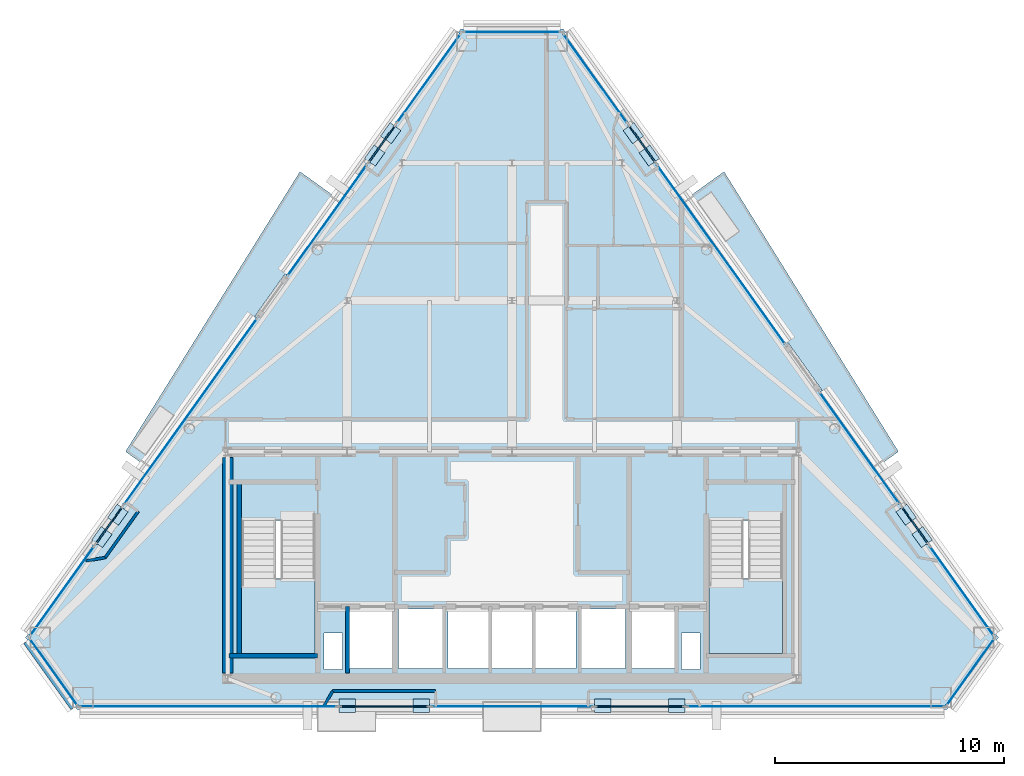
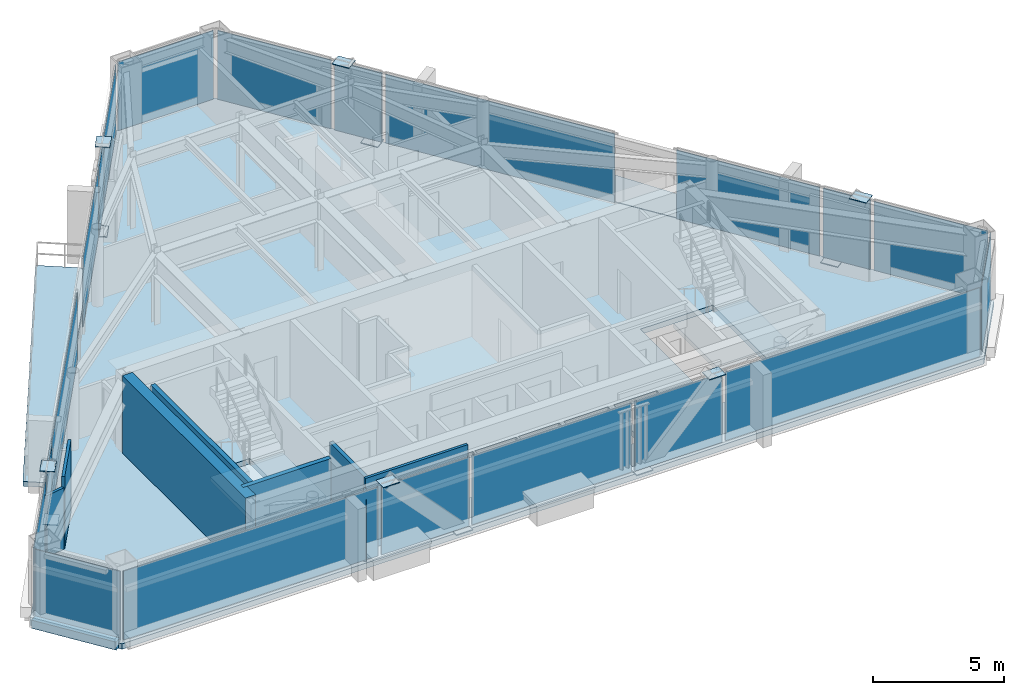
# One storey, part 7 of 12: 32 plates, 9 walls, 5 slabs, 22 elements without a shape of their own.
"""IFC4 building model written with IfcOpenShell, lengths in metres."""

import ifcopenshell
import ifcopenshell.guid

model = None  # the IFC model being written
_history = None  # IfcOwnerHistory: only IFC2X3 demands one
_inside = {}  # id of a spatial element -> (the spatial element, [elements in it])
_under = {}  # id of a project, library or spatial element -> (it, [spatial elements below it])
_declared = {}  # id of a project -> (the project, [libraries it declares])
_typed = {}  # id of a type object -> (the type object, [elements of that type])
_made_of = {}  # id of a material, layer set ... -> (it, [elements and type objects made of it])


def new_model(schema):
    """Start an empty IFC model of exactly this schema.

    Asked for "IFC4X3", IfcOpenShell would pick the latest addendum, in which some entities
    have other attributes; the version numbers below select the first issue.
    IFC2X3 requires an IfcOwnerHistory on every rooted entity: one is made here for all.
    """
    global model, _history
    if schema == "IFC4X3":
        model = ifcopenshell.file(schema_version=(4, 3, 0, 0))
    else:
        model = ifcopenshell.file(schema=schema)
    _inside.clear()
    _under.clear()
    _declared.clear()
    _typed.clear()
    _made_of.clear()
    _history = None
    if model.schema == "IFC2X3":
        org = make("IfcOrganization", Name="unknown")
        user = make(
            "IfcPersonAndOrganization",
            ThePerson=make("IfcPerson", FamilyName="unknown"),
            TheOrganization=org,
        )
        app = make(
            "IfcApplication",
            ApplicationDeveloper=org,
            Version="unknown",
            ApplicationFullName="unknown",
            ApplicationIdentifier="unknown",
        )
        _history = make(
            "IfcOwnerHistory",
            OwningUser=user,
            OwningApplication=app,
            ChangeAction="ADDED",
            CreationDate=0,
        )
    return model


def make(cls, **values):
    """One entity of the class cls with the attributes given. An attribute that is None is left unset."""
    return model.create_entity(
        cls, **{name: value for name, value in values.items() if value is not None}
    )


def rooted(cls, **values):
    """An entity with a GlobalId (a new one), such as an element, a storey or a relation."""
    return make(cls, GlobalId=ifcopenshell.guid.new(), OwnerHistory=_history, **values)


def si_unit(unit_type, name, prefix=None):
    """IfcSIUnit, for example si_unit("LENGTHUNIT", "METRE", prefix="MILLI")."""
    return make("IfcSIUnit", UnitType=unit_type, Prefix=prefix, Name=name)


def assignment(units):
    """IfcUnitAssignment: the units of a project."""
    return None if units is None else make("IfcUnitAssignment", Units=units)


def point(xyz):
    """IfcCartesianPoint."""
    return None if xyz is None else make("IfcCartesianPoint", Coordinates=xyz)


def direction(xyz):
    """IfcDirection."""
    return None if xyz is None else make("IfcDirection", DirectionRatios=xyz)


def frame(location, z_axis=None, x_axis=None):
    """IfcAxis2Placement3D, a coordinate frame: its origin and axes. An axis left out is left unset."""
    return make(
        "IfcAxis2Placement3D",
        Location=point(location),
        Axis=direction(z_axis),
        RefDirection=direction(x_axis),
    )


def frame_2d(location, x_axis=None):
    """IfcAxis2Placement2D, a coordinate frame in the plane: its origin and x axis."""
    return make(
        "IfcAxis2Placement2D", Location=point(location), RefDirection=direction(x_axis)
    )


def origin():
    """The frame at (0, 0, 0) with its axes left unset."""
    return frame((0.0, 0.0, 0.0))


def origin_2d():
    """The frame at (0, 0) in the plane with its x axis left unset."""
    return frame_2d((0.0, 0.0))


def place(relative_to, where):
    """IfcLocalPlacement: puts the frame where relative to a parent placement (None: the world)."""
    return make(
        "IfcLocalPlacement", PlacementRelTo=relative_to, RelativePlacement=where
    )


def context(
    kind, dimensions, precision=None, world=None, true_north=None, identifier=None
):
    """IfcGeometricRepresentationContext, for example the 3D "Model" context."""
    return make(
        "IfcGeometricRepresentationContext",
        ContextIdentifier=identifier,
        ContextType=kind,
        CoordinateSpaceDimension=dimensions,
        Precision=precision,
        WorldCoordinateSystem=world,
        TrueNorth=true_north,
    )


def subcontext(parent, identifier, kind, view, scale=None):
    """IfcGeometricRepresentationSubContext, for example "Body" below "Model"."""
    return make(
        "IfcGeometricRepresentationSubContext",
        ContextIdentifier=identifier,
        ContextType=kind,
        ParentContext=parent,
        TargetScale=scale,
        TargetView=view,
    )


def project(units=None, contexts=None):
    """IfcProject with its units and contexts."""
    return rooted(
        "IfcProject",
        Name="project",
        RepresentationContexts=contexts,
        UnitsInContext=assignment(units),
    )


def spatial(cls, under=None, at=None, **own):
    """A site, building, storey or space (cls), placed at a placement, below another one or the project."""
    s = rooted(cls, ObjectPlacement=at, **own)
    if under is not None:
        _under.setdefault(under.id(), (under, []))[1].append(s)
    return s


def polyline(points):
    """IfcPolyline through the points."""
    return make("IfcPolyline", Points=[point(p) for p in points])


def profile(cls, at=None, kind="AREA", **sizes):
    """A parametric profile (cls). Its sizes go by their IFC names, for example OverallWidth=200.0."""
    return make(cls, ProfileType=kind, Position=at, **sizes)


def rectangle(**sizes):
    """IfcRectangleProfileDef."""
    return profile("IfcRectangleProfileDef", **sizes)


def outline(outer, holes=None, kind="AREA"):
    """IfcArbitraryClosedProfileDef: a profile drawn as a closed curve; with holes, ...WithVoids."""
    if holes is None:
        return make("IfcArbitraryClosedProfileDef", ProfileType=kind, OuterCurve=outer)
    return make(
        "IfcArbitraryProfileDefWithVoids",
        ProfileType=kind,
        OuterCurve=outer,
        InnerCurves=holes,
    )


def extrude(swept, where, along, depth):
    """IfcExtrudedAreaSolid: the profile swept, set in the frame where, extruded along a direction by depth."""
    return make(
        "IfcExtrudedAreaSolid",
        SweptArea=swept,
        Position=where,
        ExtrudedDirection=direction(along),
        Depth=depth,
    )


def shape(context_of_items, identifier, shape_type, items):
    """IfcShapeRepresentation: the items that make up one representation, for example the "Body"."""
    return make(
        "IfcShapeRepresentation",
        ContextOfItems=context_of_items,
        RepresentationIdentifier=identifier,
        RepresentationType=shape_type,
        Items=items,
    )


def source(mapping_origin, context_of_items, identifier, shape_type, items):
    """IfcRepresentationMap: a shape defined once, which mapped items show again and again."""
    return make(
        "IfcRepresentationMap",
        MappingOrigin=mapping_origin,
        MappedRepresentation=shape(context_of_items, identifier, shape_type, items),
    )


def transform(
    local_origin,
    x_axis=None,
    y_axis=None,
    z_axis=None,
    scale=None,
    scale2=None,
    scale3=None,
    uniform=True,
):
    """IfcCartesianTransformationOperator3D, or its non-uniform kind. x_axis, y_axis, z_axis: its Axis1, 2, 3."""
    if uniform:
        return make(
            "IfcCartesianTransformationOperator3D",
            Axis1=direction(x_axis),
            Axis2=direction(y_axis),
            LocalOrigin=point(local_origin),
            Scale=scale,
            Axis3=direction(z_axis),
        )
    return make(
        "IfcCartesianTransformationOperator3DnonUniform",
        Axis1=direction(x_axis),
        Axis2=direction(y_axis),
        LocalOrigin=point(local_origin),
        Scale=scale,
        Axis3=direction(z_axis),
        Scale2=scale2,
        Scale3=scale3,
    )


def mapped(mapping_source, mapping_target):
    """IfcMappedItem: shows the shape of a source again, moved by a transform."""
    return make(
        "IfcMappedItem", MappingSource=mapping_source, MappingTarget=mapping_target
    )


def material(Name=None, Category=None):
    """IfcMaterial."""
    return make("IfcMaterial", Name=Name, Category=Category)


def layer(
    of_material, thickness, ventilated=None, Name=None, Category=None, Priority=None
):
    """IfcMaterialLayer: one layer of a wall or slab, of a material (None: an air gap)."""
    return make(
        "IfcMaterialLayer",
        Material=of_material,
        LayerThickness=thickness,
        IsVentilated=ventilated,
        Name=Name,
        Category=Category,
        Priority=Priority,
    )


def layer_set(layers, Name=None):
    """IfcMaterialLayerSet."""
    return make("IfcMaterialLayerSet", MaterialLayers=layers, LayerSetName=Name)


def made_of(thing, what):
    """Note that an element or type object is made of a material, layer set ...; save() writes the relation."""
    if what is not None:
        _made_of.setdefault(what.id(), (what, []))[1].append(thing)
    return thing


def type_object(cls, material=None, **own):
    """A type object (cls), such as IfcWallType, which elements share."""
    return made_of(rooted(cls, **own), material)


def type_shapes(of_type, sources):
    """Give a type object the sources (RepresentationMaps) that its elements show as mapped items."""
    of_type.RepresentationMaps = sources


def element(
    cls,
    number,
    at=None,
    inside=None,
    cuts=None,
    type_object=None,
    material=None,
    context=None,
    identifier="Body",
    shape_type=None,
    held_by="IfcProductDefinitionShape",
    body=None,
    shapes=None,
    **own,
):
    """One element of the class cls, such as IfcWall. Its Tag is "e" and its number.

    at: its placement. inside: the storey or other place that contains it. cuts: it is an
    opening in that element (IfcRelVoidsElement). A single representation is given by context,
    identifier, shape_type and body (its items); several are given by shapes. held_by: the class
    of the entity that holds the representations. save() writes the other relations.
    """
    e = rooted(cls, Tag="e%d" % number, ObjectPlacement=at, **own)
    if body is not None:
        shapes = [shape(context, identifier, shape_type, body)]
    if shapes is not None:
        e.Representation = make(held_by, Representations=shapes)
    if inside is not None:
        _inside.setdefault(inside.id(), (inside, []))[1].append(e)
    if cuts is not None:
        rooted(
            "IfcRelVoidsElement", RelatingBuildingElement=cuts, RelatedOpeningElement=e
        )
    if type_object is not None:
        _typed.setdefault(type_object.id(), (type_object, []))[1].append(e)
    return made_of(e, material)


def aggregate(whole, parts):
    """IfcRelAggregates: a whole, such as a stair, and the parts it consists of."""
    return rooted("IfcRelAggregates", RelatingObject=whole, RelatedObjects=parts)


def save(model, path):
    """Write the relations noted so far, then the file.

    IfcRelAggregates (storeys below a building ...), IfcRelContainedInSpatialStructure (elements
    in a storey), IfcRelDefinesByType, IfcRelAssociatesMaterial and IfcRelDeclares: one each for
    every whole, place, type object, material and project.
    """
    for whole, parts in _under.values():
        aggregate(whole, parts)
    for where, things in _inside.values():
        rooted(
            "IfcRelContainedInSpatialStructure",
            RelatedElements=things,
            RelatingStructure=where,
        )
    for kind, things in _typed.values():
        rooted("IfcRelDefinesByType", RelatedObjects=things, RelatingType=kind)
    for what, things in _made_of.values():
        rooted("IfcRelAssociatesMaterial", RelatedObjects=things, RelatingMaterial=what)
    for by, libraries in _declared.values():
        rooted("IfcRelDeclares", RelatingContext=by, RelatedDefinitions=libraries)
    model.write(path)


model = new_model("IFC4")

# Units and contexts
model_context = context("Model", 3, precision=1e-05, world=origin(), true_north=direction((0.0, 1.0)))
body_context = subcontext(model_context, "Body", "Model", "MODEL_VIEW")
ifc_project = project(units=[si_unit("LENGTHUNIT", "METRE"), si_unit("AREAUNIT", "SQUARE_METRE"), si_unit("VOLUMEUNIT", "CUBIC_METRE"), si_unit("PLANEANGLEUNIT", "RADIAN"), si_unit("MASSUNIT", "GRAM", prefix="KILO")], contexts=[model_context])

# Site, building, storey
site_placement = place(None, origin())
site = spatial("IfcSite", under=ifc_project, at=site_placement, CompositionType="ELEMENT")
building_placement = place(site_placement, origin())
building = spatial("IfcBuilding", under=site, at=building_placement, Name="Talgorran Terracotta Tower", CompositionType="ELEMENT")
storey_placement = place(building_placement, frame((0.0, 0.0, 267.0)))
storey = spatial("IfcBuildingStorey", under=building, at=storey_placement, Name="L70", CompositionType="ELEMENT", Elevation=267.0)

# Plates
ifc_material_1 = material(Name="Steel Grade 350 (350L0)", Category="steel")
ifc_layer_1 = layer(ifc_material_1, 0.031982421875, Name="PL_CAP_MN07")
ifc_layer_set_1 = layer_set([ifc_layer_1], Name="Steel Grade 350 (350L0)")
plate_type_1 = type_object("IfcPlateType", Name="PL_CAP_MN07", PredefinedType="USERDEFINED", material=ifc_layer_set_1)
for number, where, z_axis, x_axis, name in (
    (1, (-3.968994140625, -15.27880859375, -0.005859375), (0.0, 0.0, 1.0), (-1.0, 0.0, 0.0), "L70 Diagonal Frame End Cap SWF Bot"),
    (2, (-7.181884765625, -15.27880859375, 3.31884765625), (0.0, 0.0, 1.0), (-1.0, 0.0, 0.0), "L70 Diagonal Frame End Cap SWF Top"),
    (3, (3.968994140625, -15.27880859375, -0.005859375), (0.0, 0.0, 1.0), (1.0, 0.0, 0.0), "L70 Diagonal Frame End Cap SEF Bot"),
    (4, (7.181884765625, -15.27880859375, 3.31884765625), (0.0, 0.0, 1.0), (1.0, 0.0, 0.0), "L70 Diagonal Frame End Cap SEF Top"),
    (5, (17.197509765625, -6.9482421875, -0.005859375), (0.0, 0.0, 1.0), (0.581697151818, -0.813405448449, 0.0), "L70 Diagonal Frame End Cap NEL Bot"),
    (6, (17.8955078125, -7.92431640625, 3.31884765625), (0.0, 0.0, 1.0), (0.581697151818, -0.813405448449, 0.0), "L70 Diagonal Frame End Cap NEL Top"),
    (7, (5.990234375, 8.7216796875, -0.005859375), (0.0, 0.0, 1.0), (-0.581697151818, 0.813405448449, 0.0), "L70 Diagonal Frame End Cap NEU Bot"),
    (8, (5.292236328125, 9.69775390625, 3.31884765625), (0.0, 0.0, 1.0), (-0.581697151818, 0.813405448449, 0.0), "L70 Diagonal Frame End Cap NEU Top"),
    (9, (-5.990234375, 8.7216796875, -0.005859375), (0.0, 0.0, 1.0), (0.581697151818, 0.813405448449, 0.0), "L70 Diagonal Frame End Cap NWU Bot"),
    (10, (-5.292236328125, 9.69775390625, 3.31884765625), (0.0, 0.0, 1.0), (0.581697151818, 0.813405448449, 0.0), "L70 Diagonal Frame End Cap NWU Top"),
    (11, (-17.197509765625, -6.9482421875, -0.005859375), (0.0, 0.0, 1.0), (-0.581697151818, -0.813405448449, 0.0), "L70 Diagonal Frame End Cap NWL Bot"),
    (12, (-17.8955078125, -7.92431640625, 3.31884765625), (0.0, 0.0, 1.0), (-0.581697151818, -0.813405448449, 0.0), "L70 Diagonal Frame End Cap NWL Top"),
):
    element("IfcPlate", number, at=place(storey_placement, frame(where, z_axis=z_axis, x_axis=x_axis)), inside=storey, type_object=plate_type_1, Name=name, ObjectType="CAP PLATE", PredefinedType="USERDEFINED", context=body_context, shape_type="SweptSolid", body=[
        extrude(rectangle(XDim=0.719970703125, YDim=0.580078125, at=origin_2d()), origin(), (0.0, 0.0, 1.0), 0.031982421875),
    ])

# Slabs
ifc_material_2 = material(Name="Concrete C40/50", Category="concrete")
ifc_layer_2 = layer(ifc_material_2, 0.219970703125, Name="SL_BALCONY_220")
ifc_layer_set_2 = layer_set([ifc_layer_2], Name="Concrete C40/50")
slab_type_1 = type_object("IfcSlabType", Name="SL_BALCONY_220", PredefinedType="FLOOR", material=ifc_layer_set_2)
slab_1_placement = place(storey_placement, frame((0.0, 0.0, -0.219970703125)))
element("IfcSlab", 13, at=slab_1_placement, inside=storey, type_object=slab_type_1, Name="L70 Outdoor Wave Balcony BAL-NE", PredefinedType="FLOOR", context=body_context, shape_type="SweptSolid", body=[
    extrude(outline(polyline([(7.569580078125, 6.814208984375), (15.92138671875, -4.863525390625), (16.85888671875, -4.193115234375), (9.25146484375, 8.01708984375), (7.569580078125, 6.814208984375)])), origin(), (0.0, 0.0, 1.0), 0.219970703125),
])
slab_2_placement = place(storey_placement, frame((0.0, 0.0, -0.219970703125)))
element("IfcSlab", 14, at=slab_2_placement, inside=storey, type_object=slab_type_1, Name="L70 Outdoor Wave Balcony BAL-NW", PredefinedType="FLOOR", context=body_context, shape_type="SweptSolid", body=[
    extrude(outline(polyline([(-15.92138671875, -4.863525390625), (-7.569580078125, 6.814208984375), (-9.25146484375, 8.01708984375), (-16.85888671875, -4.193115234375), (-15.92138671875, -4.863525390625)])), origin(), (0.0, 0.0, 1.0), 0.219970703125),
])

# Stair, slab
stair_type = type_object("IfcStairType", Name="ST_FIRE_SCISSOR", PredefinedType="HALF_TURN_STAIR", material=ifc_material_2)
stair_1_placement = place(storey_placement, origin())
stair_1 = element("IfcStair", 15, at=stair_1_placement, inside=storey, type_object=stair_type, Name="L70 West Protected Fire Stair ST-01", PredefinedType="HALF_TURN_STAIR")
ifc_layer_3 = layer(ifc_material_2, 0.199951171875, Name="SL_LANDING_200")
ifc_layer_set_3 = layer_set([ifc_layer_3], Name="Concrete C40/50")
slab_type_2 = type_object("IfcSlabType", Name="SL_LANDING_200", PredefinedType="LANDING", material=ifc_layer_set_3)
slab_3_placement = place(storey_placement, frame((0.0, 0.0, 1.60009765625)))
slab_3 = element("IfcSlab", 16, at=slab_3_placement, type_object=slab_type_2, Name="ST-01 landing 1", PredefinedType="LANDING", context=body_context, shape_type="SweptSolid", body=[
    extrude(outline(polyline([(-11.800048828125, -9.719970703125), (-11.800048828125, -13.0), (-8.60009765625, -13.0), (-8.60009765625, -9.719970703125), (-11.800048828125, -9.719970703125)])), origin(), (0.0, 0.0, 1.0), 0.199951171875),
])
aggregate(stair_1, [slab_3])

stair_2_placement = place(storey_placement, origin())
stair_2 = element("IfcStair", 17, at=stair_2_placement, inside=storey, type_object=stair_type, Name="L70 East Protected Fire Stair ST-02", PredefinedType="HALF_TURN_STAIR")
slab_4_placement = place(storey_placement, frame((0.0, 0.0, 1.60009765625)))
slab_4 = element("IfcSlab", 18, at=slab_4_placement, type_object=slab_type_2, Name="ST-02 landing 1", PredefinedType="LANDING", context=body_context, shape_type="SweptSolid", body=[
    extrude(outline(polyline([(8.60009765625, -9.719970703125), (8.60009765625, -13.0), (11.800048828125, -13.0), (11.800048828125, -9.719970703125), (8.60009765625, -9.719970703125)])), origin(), (0.0, 0.0, 1.0), 0.199951171875),
])
aggregate(stair_2, [slab_4])

# Slab
ifc_layer_4 = layer(ifc_material_2, 0.2548828125, Name="SL_TOWER_235")
ifc_layer_set_4 = layer_set([ifc_layer_4], Name="Concrete C40/50")
slab_type_3 = type_object("IfcSlabType", Name="SL_TOWER_235", PredefinedType="FLOOR", material=ifc_layer_set_4)
slab_5_placement = place(storey_placement, frame((0.0, 0.0, -0.2548828125)))
element("IfcSlab", 19, at=slab_5_placement, inside=storey, type_object=slab_type_3, Name="Storey L70 Structural Floor Slab", PredefinedType="FLOOR", context=body_context, shape_type="SweptSolid", body=[
    extrude(outline(polyline([(-21.22412109375, -12.303466796875), (-18.981689453125, -15.43896484375), (18.981689453125, -15.43896484375), (21.22412109375, -12.303466796875), (2.242431640625, 14.23681640625), (-2.242431640625, 14.23681640625), (-21.22412109375, -12.303466796875)]), holes=[polyline([(-11.800048828125, -7.199951171875), (-11.800048828125, -13.0), (-8.60009765625, -13.0), (-8.60009765625, -7.199951171875), (-11.800048828125, -7.199951171875)]), polyline([(8.60009765625, -7.199951171875), (8.60009765625, -13.0), (11.800048828125, -13.0), (11.800048828125, -7.199951171875), (8.60009765625, -7.199951171875)]), polyline([(-7.10009765625, -13.64990234375), (-5.199951171875, -13.64990234375), (-5.199951171875, -11.050048828125), (-7.10009765625, -11.050048828125), (-7.10009765625, -13.64990234375)]), polyline([(5.199951171875, -13.64990234375), (7.10009765625, -13.64990234375), (7.10009765625, -11.050048828125), (5.199951171875, -11.050048828125), (5.199951171875, -13.64990234375)]), polyline([(3.0, -13.64990234375), (4.949951171875, -13.64990234375), (4.949951171875, -11.050048828125), (3.0, -11.050048828125), (3.0, -13.64990234375)]), polyline([(-4.949951171875, -13.64990234375), (-3.0, -13.64990234375), (-3.0, -11.050048828125), (-4.949951171875, -11.050048828125), (-4.949951171875, -13.64990234375)]), polyline([(-2.800048828125, -13.64990234375), (-1.0, -13.64990234375), (-1.0, -11.050048828125), (-2.800048828125, -11.050048828125), (-2.800048828125, -13.64990234375)]), polyline([(-0.89990234375, -13.64990234375), (0.89990234375, -13.64990234375), (0.89990234375, -11.050048828125), (-0.89990234375, -11.050048828125), (-0.89990234375, -13.64990234375)]), polyline([(1.0, -13.64990234375), (2.800048828125, -13.64990234375), (2.800048828125, -11.050048828125), (1.0, -11.050048828125), (1.0, -13.64990234375)]), polyline([(-8.199951171875, -13.699951171875), (-7.39990234375, -13.699951171875), (-7.39990234375, -12.10009765625), (-8.199951171875, -12.10009765625), (-8.199951171875, -13.699951171875)]), polyline([(7.39990234375, -13.699951171875), (8.199951171875, -13.699951171875), (8.199951171875, -12.10009765625), (7.39990234375, -12.10009765625), (7.39990234375, -13.699951171875)])]), origin(), (0.0, 0.0, 1.0), 0.2548828125),
])

# Curtain wall, plate
ifc_material_3 = material(Name="High-Wind Unitised Glazing", Category="glass")
ifc_layer_5 = layer(ifc_material_3, 0.2099609375, Name="CW_SYS3_RES_HIGH")
ifc_layer_set_5 = layer_set([ifc_layer_5], Name="High-Wind Unitised Glazing")
curtain_wall_type = type_object("IfcCurtainWallType", Name="CW_SYS3_RES_HIGH", PredefinedType="NOTDEFINED", material=ifc_layer_set_5)
curtain_wall_1_placement = place(storey_placement, origin())
curtain_wall_1 = element("IfcCurtainWall", 20, at=curtain_wall_1_placement, inside=storey, type_object=curtain_wall_type, Name="CW-L70-F0", PredefinedType="NOTDEFINED")
ifc_material_4 = material(Name="High-Wind Acoustic Vision Glass", Category="glass")
ifc_layer_6 = layer(ifc_material_4, 0.031982421875, Name="PLT_VISION_32")
ifc_layer_set_6 = layer_set([ifc_layer_6], Name="High-Wind Acoustic Vision Glass")
plate_type_2 = type_object("IfcPlateType", Name="PLT_VISION_32", PredefinedType="CURTAIN_PANEL", material=ifc_layer_set_6)
shared_shape_1 = source(origin(), body_context, "Body", "SweptSolid", [
    extrude(rectangle(XDim=3.5673828125, YDim=0.031982421875, at=origin_2d()), origin(), (0.0, 0.0, 1.0), 3.205078125),
])
plate_1_placement = place(storey_placement, frame((-19.998291015625, -13.811279296875, 0.070068359375), z_axis=(0.0, 0.0, 1.0), x_axis=(0.581745845777, -0.813370623345, 0.0)))
plate_1 = element("IfcPlate", 21, at=plate_1_placement, type_object=plate_type_2, Name="CW-L70-0 panel 1.1", PredefinedType="CURTAIN_PANEL", context=body_context, shape_type="MappedRepresentation", body=[
    mapped(shared_shape_1, transform((0.0, 0.0, 0.0), scale=1.0)),
])
aggregate(curtain_wall_1, [plate_1])

curtain_wall_2_placement = place(storey_placement, origin())
curtain_wall_2 = element("IfcCurtainWall", 22, at=curtain_wall_2_placement, inside=storey, type_object=curtain_wall_type, Name="CW-L70-F2", PredefinedType="NOTDEFINED")
plate_2_placement = place(storey_placement, frame((19.998291015625, -13.811279296875, 0.070068359375), z_axis=(0.0, 0.0, 1.0), x_axis=(0.581745845777, 0.813370623345, 0.0)))
plate_2 = element("IfcPlate", 23, at=plate_2_placement, type_object=plate_type_2, Name="CW-L70-2 panel 1.1", PredefinedType="CURTAIN_PANEL", context=body_context, shape_type="MappedRepresentation", body=[
    mapped(shared_shape_1, transform((0.0, 0.0, 0.0), scale=1.0)),
])
aggregate(curtain_wall_2, [plate_2])

curtain_wall_3_placement = place(storey_placement, origin())
curtain_wall_3 = element("IfcCurtainWall", 24, at=curtain_wall_3_placement, inside=storey, type_object=curtain_wall_type, Name="CW-L70-F4", PredefinedType="NOTDEFINED")
shared_shape_2 = source(origin(), body_context, "Body", "SweptSolid", [
    extrude(rectangle(XDim=4.2216796875, YDim=0.031982421875, at=origin_2d()), origin(), (0.0, 0.0, 1.0), 3.205078125),
])
plate_3_placement = place(storey_placement, frame((0.0, 14.11669921875, 0.070068359375), z_axis=(0.0, 0.0, 1.0), x_axis=(-1.0, 0.0, 0.0)))
plate_3 = element("IfcPlate", 25, at=plate_3_placement, type_object=plate_type_2, Name="CW-L70-4 panel 1.1", PredefinedType="CURTAIN_PANEL", context=body_context, shape_type="MappedRepresentation", body=[
    mapped(shared_shape_2, transform((0.0, 0.0, 0.0), scale=1.0)),
])
aggregate(curtain_wall_3, [plate_3])

curtain_wall_4_placement = place(storey_placement, origin())
curtain_wall_4 = element("IfcCurtainWall", 26, at=curtain_wall_4_placement, inside=storey, type_object=curtain_wall_type, Name="CW-L70-F1", PredefinedType="NOTDEFINED")
shared_shape_3 = source(origin(), body_context, "Body", "SweptSolid", [
    extrude(rectangle(XDim=11.20361328125, YDim=0.031982421875, at=origin_2d()), origin(), (0.0, 0.0, 1.0), 3.205078125),
])
plate_4_placement = place(storey_placement, frame((-13.248291015625, -15.31884765625, 0.070068359375), z_axis=(0.0, 0.0, 1.0), x_axis=(1.0, 0.0, 0.0)))
plate_4 = element("IfcPlate", 27, at=plate_4_placement, type_object=plate_type_2, Name="CW-L70-1 panel 1.1", PredefinedType="CURTAIN_PANEL", context=body_context, shape_type="MappedRepresentation", body=[
    mapped(shared_shape_3, transform((0.0, 0.0, 0.0), scale=1.0)),
])
aggregate(curtain_wall_4, [plate_4])

curtain_wall_5_placement = place(storey_placement, origin())
curtain_wall_5 = element("IfcCurtainWall", 28, at=curtain_wall_5_placement, inside=storey, type_object=curtain_wall_type, Name="CW-L70-F1E", PredefinedType="NOTDEFINED")
plate_5_placement = place(storey_placement, frame((13.248291015625, -15.31884765625, 0.070068359375), z_axis=(0.0, 0.0, 1.0), x_axis=(1.0, 0.0, 0.0)))
plate_5 = element("IfcPlate", 29, at=plate_5_placement, type_object=plate_type_2, Name="CW-L70-1E panel 1.1", PredefinedType="CURTAIN_PANEL", context=body_context, shape_type="MappedRepresentation", body=[
    mapped(shared_shape_3, transform((0.0, 0.0, 0.0), scale=1.0)),
])
aggregate(curtain_wall_5, [plate_5])

curtain_wall_6_placement = place(storey_placement, origin())
curtain_wall_6 = element("IfcCurtainWall", 30, at=curtain_wall_6_placement, inside=storey, type_object=curtain_wall_type, Name="CW-L70-F1B", PredefinedType="NOTDEFINED")
ifc_material_5 = material(Name="Terracotta Insulated Spandrel", Category="masonry")
ifc_layer_7 = layer(ifc_material_5, 0.06494140625, Name="PLT_SPANDREL_TERRA")
ifc_layer_set_7 = layer_set([ifc_layer_7], Name="Terracotta Insulated Spandrel")
plate_type_3 = type_object("IfcPlateType", Name="PLT_SPANDREL_TERRA", PredefinedType="SHEET", material=ifc_layer_set_7)
shared_shape_4 = source(origin(), body_context, "Body", "SweptSolid", [
    extrude(rectangle(XDim=3.84228515625, YDim=0.06494140625, at=origin_2d()), origin(), (0.0, 0.0, 1.0), 3.205078125),
])
plate_6_placement = place(storey_placement, frame((-5.575439453125, -15.31884765625, 0.070068359375), z_axis=(0.0, 0.0, 1.0), x_axis=(1.0, 0.0, 0.0)))
plate_6 = element("IfcPlate", 31, at=plate_6_placement, type_object=plate_type_3, Name="CW-L70-1B panel 1.1", PredefinedType="CURTAIN_PANEL", context=body_context, shape_type="MappedRepresentation", body=[
    mapped(shared_shape_4, transform((0.0, 0.0, 0.0), scale=1.0)),
])
aggregate(curtain_wall_6, [plate_6])

curtain_wall_7_placement = place(storey_placement, origin())
curtain_wall_7 = element("IfcCurtainWall", 32, at=curtain_wall_7_placement, inside=storey, type_object=curtain_wall_type, Name="CW-L70-F1D", PredefinedType="NOTDEFINED")
plate_7_placement = place(storey_placement, frame((5.575439453125, -15.31884765625, 0.070068359375), z_axis=(0.0, 0.0, 1.0), x_axis=(1.0, 0.0, 0.0)))
plate_7 = element("IfcPlate", 33, at=plate_7_placement, type_object=plate_type_3, Name="CW-L70-1D panel 1.1", PredefinedType="CURTAIN_PANEL", context=body_context, shape_type="MappedRepresentation", body=[
    mapped(shared_shape_4, transform((0.0, 0.0, 0.0), scale=1.0)),
])
aggregate(curtain_wall_7, [plate_7])

curtain_wall_8_placement = place(storey_placement, origin())
curtain_wall_8 = element("IfcCurtainWall", 34, at=curtain_wall_8_placement, inside=storey, type_object=curtain_wall_type, Name="CW-L70-F1C", PredefinedType="NOTDEFINED")
shared_shape_5 = source(origin(), body_context, "Body", "SweptSolid", [
    extrude(rectangle(XDim=7.00830078125, YDim=0.031982421875, at=origin_2d()), origin(), (0.0, 0.0, 1.0), 3.205078125),
])
plate_8_placement = place(storey_placement, frame((0.0, -15.31884765625, 0.070068359375), z_axis=(0.0, 0.0, 1.0), x_axis=(1.0, 0.0, 0.0)))
plate_8 = element("IfcPlate", 35, at=plate_8_placement, type_object=plate_type_2, Name="CW-L70-1C panel 1.1", PredefinedType="CURTAIN_PANEL", context=body_context, shape_type="MappedRepresentation", body=[
    mapped(shared_shape_5, transform((0.0, 0.0, 0.0), scale=1.0)),
])
aggregate(curtain_wall_8, [plate_8])

curtain_wall_9_placement = place(storey_placement, origin())
curtain_wall_9 = element("IfcCurtainWall", 36, at=curtain_wall_9_placement, inside=storey, type_object=curtain_wall_type, Name="CW-L70-F40", PredefinedType="NOTDEFINED")
shared_shape_6 = source(origin(), body_context, "Body", "SweptSolid", [
    extrude(rectangle(XDim=4.766357421875, YDim=0.031982421875, at=origin_2d()), origin(), (0.0, 0.0, 1.0), 3.205078125),
])
plate_9_placement = place(storey_placement, frame((19.626220703125, -10.275634765625, 0.070068359375), z_axis=(0.0, 0.0, 1.0), x_axis=(-0.581737438466, 0.813376636428, 0.0)))
plate_9 = element("IfcPlate", 37, at=plate_9_placement, type_object=plate_type_2, Name="CW-L70-40 panel 1.1", PredefinedType="CURTAIN_PANEL", context=body_context, shape_type="MappedRepresentation", body=[
    mapped(shared_shape_6, transform((0.0, 0.0, 0.0), scale=1.0)),
])
aggregate(curtain_wall_9, [plate_9])

curtain_wall_10_placement = place(storey_placement, origin())
curtain_wall_10 = element("IfcCurtainWall", 38, at=curtain_wall_10_placement, inside=storey, type_object=curtain_wall_type, Name="CW-L70-F61C", PredefinedType="NOTDEFINED")
plate_10_placement = place(storey_placement, frame((-19.626220703125, -10.275634765625, 0.070068359375), z_axis=(0.0, 0.0, 1.0), x_axis=(-0.581737438466, -0.813376636428, 0.0)))
plate_10 = element("IfcPlate", 39, at=plate_10_placement, type_object=plate_type_2, Name="CW-L70-61C panel 1.1", PredefinedType="CURTAIN_PANEL", context=body_context, shape_type="MappedRepresentation", body=[
    mapped(shared_shape_6, transform((0.0, 0.0, 0.0), scale=1.0)),
])
aggregate(curtain_wall_10, [plate_10])

curtain_wall_11_placement = place(storey_placement, origin())
curtain_wall_11 = element("IfcCurtainWall", 40, at=curtain_wall_11_placement, inside=storey, type_object=curtain_wall_type, Name="CW-L70-F40B", PredefinedType="NOTDEFINED")
shared_shape_7 = source(origin(), body_context, "Body", "SweptSolid", [
    extrude(rectangle(XDim=1.972412109375, YDim=0.06494140625, at=origin_2d()), origin(), (0.0, 0.0, 1.0), 3.205078125),
])
type_shapes(plate_type_3, [shared_shape_4, shared_shape_7])
plate_11_placement = place(storey_placement, frame((17.5791015625, -7.4130859375, 0.070068359375), z_axis=(0.0, 0.0, 1.0), x_axis=(-0.581735173433, 0.813378256404, 0.0)))
plate_11 = element("IfcPlate", 41, at=plate_11_placement, type_object=plate_type_3, Name="CW-L70-40B panel 1.1", PredefinedType="CURTAIN_PANEL", context=body_context, shape_type="MappedRepresentation", body=[
    mapped(shared_shape_7, transform((0.0, 0.0, 0.0), scale=1.0)),
])
aggregate(curtain_wall_11, [plate_11])

curtain_wall_12_placement = place(storey_placement, origin())
curtain_wall_12 = element("IfcCurtainWall", 42, at=curtain_wall_12_placement, inside=storey, type_object=curtain_wall_type, Name="CW-L70-F41B", PredefinedType="NOTDEFINED")
plate_12_placement = place(storey_placement, frame((5.673828125, 9.23291015625, 0.070068359375), z_axis=(0.0, 0.0, 1.0), x_axis=(-0.581735173433, 0.813378256404, 0.0)))
plate_12 = element("IfcPlate", 43, at=plate_12_placement, type_object=plate_type_3, Name="CW-L70-41B panel 1.1", PredefinedType="CURTAIN_PANEL", context=body_context, shape_type="MappedRepresentation", body=[
    mapped(shared_shape_7, transform((0.0, 0.0, 0.0), scale=1.0)),
])
aggregate(curtain_wall_12, [plate_12])

curtain_wall_13_placement = place(storey_placement, origin())
curtain_wall_13 = element("IfcCurtainWall", 44, at=curtain_wall_13_placement, inside=storey, type_object=curtain_wall_type, Name="CW-L70-F60B", PredefinedType="NOTDEFINED")
plate_13_placement = place(storey_placement, frame((-5.673828125, 9.23291015625, 0.070068359375), z_axis=(0.0, 0.0, 1.0), x_axis=(-0.581735173433, -0.813378256404, 0.0)))
plate_13 = element("IfcPlate", 45, at=plate_13_placement, type_object=plate_type_3, Name="CW-L70-60B panel 1.1", PredefinedType="CURTAIN_PANEL", context=body_context, shape_type="MappedRepresentation", body=[
    mapped(shared_shape_7, transform((0.0, 0.0, 0.0), scale=1.0)),
])
aggregate(curtain_wall_13, [plate_13])

curtain_wall_14_placement = place(storey_placement, origin())
curtain_wall_14 = element("IfcCurtainWall", 46, at=curtain_wall_14_placement, inside=storey, type_object=curtain_wall_type, Name="CW-L70-F61B", PredefinedType="NOTDEFINED")
plate_14_placement = place(storey_placement, frame((-17.5791015625, -7.4130859375, 0.070068359375), z_axis=(0.0, 0.0, 1.0), x_axis=(-0.581735173433, -0.813378256404, 0.0)))
plate_14 = element("IfcPlate", 47, at=plate_14_placement, type_object=plate_type_3, Name="CW-L70-61B panel 1.1", PredefinedType="CURTAIN_PANEL", context=body_context, shape_type="MappedRepresentation", body=[
    mapped(shared_shape_7, transform((0.0, 0.0, 0.0), scale=1.0)),
])
aggregate(curtain_wall_14, [plate_14])

curtain_wall_15_placement = place(storey_placement, origin())
curtain_wall_15 = element("IfcCurtainWall", 48, at=curtain_wall_15_placement, inside=storey, type_object=curtain_wall_type, Name="CW-L70-F40C", PredefinedType="NOTDEFINED")
shared_shape_8 = source(origin(), body_context, "Body", "SweptSolid", [
    extrude(rectangle(XDim=5.99609375, YDim=0.031982421875, at=origin_2d()), origin(), (0.0, 0.0, 1.0), 3.205078125),
])
plate_15_placement = place(storey_placement, frame((15.174072265625, -4.05029296875, 0.070068359375), z_axis=(0.0, 0.0, 1.0), x_axis=(-0.581726769479, 0.813384266919, 0.0)))
plate_15 = element("IfcPlate", 49, at=plate_15_placement, type_object=plate_type_2, Name="CW-L70-40C panel 1.1", PredefinedType="CURTAIN_PANEL", context=body_context, shape_type="MappedRepresentation", body=[
    mapped(shared_shape_8, transform((0.0, 0.0, 0.0), scale=1.0)),
])
aggregate(curtain_wall_15, [plate_15])

curtain_wall_16_placement = place(storey_placement, origin())
curtain_wall_16 = element("IfcCurtainWall", 50, at=curtain_wall_16_placement, inside=storey, type_object=curtain_wall_type, Name="CW-L70-F41", PredefinedType="NOTDEFINED")
shared_shape_9 = source(origin(), body_context, "Body", "SweptSolid", [
    extrude(rectangle(XDim=9.5966796875, YDim=0.031982421875, at=origin_2d()), origin(), (0.0, 0.0, 1.0), 3.205078125),
])
plate_16_placement = place(storey_placement, frame((9.126220703125, 4.406005859375, 0.070068359375), z_axis=(0.0, 0.0, 1.0), x_axis=(-0.581737449028, 0.813376628874, 0.0)))
plate_16 = element("IfcPlate", 51, at=plate_16_placement, type_object=plate_type_2, Name="CW-L70-41 panel 1.1", PredefinedType="CURTAIN_PANEL", context=body_context, shape_type="MappedRepresentation", body=[
    mapped(shared_shape_9, transform((0.0, 0.0, 0.0), scale=1.0)),
])
aggregate(curtain_wall_16, [plate_16])

curtain_wall_17_placement = place(storey_placement, origin())
curtain_wall_17 = element("IfcCurtainWall", 52, at=curtain_wall_17_placement, inside=storey, type_object=curtain_wall_type, Name="CW-L70-F41C", PredefinedType="NOTDEFINED")
shared_shape_10 = source(origin(), body_context, "Body", "SweptSolid", [
    extrude(rectangle(XDim=4.75830078125, YDim=0.031982421875, at=origin_2d()), origin(), (0.0, 0.0, 1.0), 3.205078125),
])
plate_17_placement = place(storey_placement, frame((3.62890625, 12.09228515625, 0.070068359375), z_axis=(0.0, 0.0, 1.0), x_axis=(-0.581730534512, 0.81338157418, 0.0)))
plate_17 = element("IfcPlate", 53, at=plate_17_placement, type_object=plate_type_2, Name="CW-L70-41C panel 1.1", PredefinedType="CURTAIN_PANEL", context=body_context, shape_type="MappedRepresentation", body=[
    mapped(shared_shape_10, transform((0.0, 0.0, 0.0), scale=1.0)),
])
aggregate(curtain_wall_17, [plate_17])

curtain_wall_18_placement = place(storey_placement, origin())
curtain_wall_18 = element("IfcCurtainWall", 54, at=curtain_wall_18_placement, inside=storey, type_object=curtain_wall_type, Name="CW-L70-F60", PredefinedType="NOTDEFINED")
plate_18_placement = place(storey_placement, frame((-3.62890625, 12.09228515625, 0.070068359375), z_axis=(0.0, 0.0, 1.0), x_axis=(-0.581730534512, -0.81338157418, 0.0)))
plate_18 = element("IfcPlate", 55, at=plate_18_placement, type_object=plate_type_2, Name="CW-L70-60 panel 1.1", PredefinedType="CURTAIN_PANEL", context=body_context, shape_type="MappedRepresentation", body=[
    mapped(shared_shape_10, transform((0.0, 0.0, 0.0), scale=1.0)),
])
aggregate(curtain_wall_18, [plate_18])

curtain_wall_19_placement = place(storey_placement, origin())
curtain_wall_19 = element("IfcCurtainWall", 56, at=curtain_wall_19_placement, inside=storey, type_object=curtain_wall_type, Name="CW-L70-F60C", PredefinedType="NOTDEFINED")
shared_shape_11 = source(origin(), body_context, "Body", "SweptSolid", [
    extrude(rectangle(XDim=5.9296875, YDim=0.031982421875, at=origin_2d()), origin(), (0.0, 0.0, 1.0), 3.205078125),
])
plate_19_placement = place(storey_placement, frame((-8.0595703125, 5.897216796875, 0.070068359375), z_axis=(0.0, 0.0, 1.0), x_axis=(-0.581736791152, -0.813377099395, 0.0)))
plate_19 = element("IfcPlate", 57, at=plate_19_placement, type_object=plate_type_2, Name="CW-L70-60C panel 1.1", PredefinedType="CURTAIN_PANEL", context=body_context, shape_type="MappedRepresentation", body=[
    mapped(shared_shape_11, transform((0.0, 0.0, 0.0), scale=1.0)),
])
aggregate(curtain_wall_19, [plate_19])

curtain_wall_20_placement = place(storey_placement, origin())
curtain_wall_20 = element("IfcCurtainWall", 58, at=curtain_wall_20_placement, inside=storey, type_object=curtain_wall_type, Name="CW-L70-F61", PredefinedType="NOTDEFINED")
shared_shape_12 = source(origin(), body_context, "Body", "SweptSolid", [
    extrude(rectangle(XDim=9.963134765625, YDim=0.031982421875, at=origin_2d()), origin(), (0.0, 0.0, 1.0), 3.205078125),
])
type_shapes(plate_type_2, [shared_shape_1, shared_shape_2, shared_shape_3, shared_shape_5, shared_shape_6, shared_shape_8, shared_shape_9, shared_shape_10, shared_shape_11, shared_shape_12])
plate_20_placement = place(storey_placement, frame((-14.020263671875, -2.43701171875, 0.070068359375), z_axis=(0.0, 0.0, 1.0), x_axis=(-0.581730575767, -0.813381544675, 0.0)))
plate_20 = element("IfcPlate", 59, at=plate_20_placement, type_object=plate_type_2, Name="CW-L70-61 panel 1.1", PredefinedType="CURTAIN_PANEL", context=body_context, shape_type="MappedRepresentation", body=[
    mapped(shared_shape_12, transform((0.0, 0.0, 0.0), scale=1.0)),
])
aggregate(curtain_wall_20, [plate_20])

# Walls
ifc_material_6 = material(Name="Concrete C50/60", Category="concrete")
ifc_layer_8 = layer(ifc_material_6, 0.199951171875, Name="WT_CORE_200")
ifc_layer_set_8 = layer_set([ifc_layer_8], Name="Concrete C50/60")
wall_type_1 = type_object("IfcWallType", Name="WT_CORE_200", PredefinedType="SOLIDWALL", material=ifc_layer_set_8)
wall_1_placement = place(storey_placement, frame((-12.35009765625, -13.10009765625, 0.0), z_axis=(0.0, 0.0, 1.0), x_axis=(1.0, 0.0, 0.0)))
element("IfcWall", 60, at=wall_1_placement, inside=storey, type_object=wall_type_1, Name="WL-L70-CW-ST1-S", PredefinedType="SOLIDWALL", context=body_context, shape_type="SweptSolid", body=[
    extrude(rectangle(XDim=3.8701171875, YDim=0.199951171875, at=frame_2d((1.93505859375, 0.0))), origin(), (0.0, 0.0, 1.0), 3.60009765625),
])
wall_2_placement = place(storey_placement, frame((-11.89990234375, -13.10009765625, 0.0), z_axis=(0.0, 0.0, 1.0), x_axis=(0.0, 1.0, 0.0)))
element("IfcWall", 61, at=wall_2_placement, inside=storey, type_object=wall_type_1, Name="WL-L70-CW-ST1-W", PredefinedType="SOLIDWALL", context=body_context, shape_type="SweptSolid", body=[
    extrude(rectangle(XDim=7.580078125, YDim=0.199951171875, at=frame_2d((3.7900390625, 0.0))), origin(), (0.0, 0.0, 1.0), 3.60009765625),
])
ifc_material_7 = material(Name="Concrete C65/80", Category="concrete")
ifc_layer_9 = layer(ifc_material_7, 0.449951171875, Name="WT_CORE_EXT")
ifc_layer_set_9 = layer_set([ifc_layer_9], Name="Concrete C65/80")
wall_type_2 = type_object("IfcWallType", Name="WT_CORE_EXT", PredefinedType="SHEAR", material=ifc_layer_set_9)
wall_3_placement = place(storey_placement, frame((-12.39990234375, -13.85009765625, 0.0), z_axis=(0.0, 0.0, 1.0), x_axis=(0.0, 1.0, 0.0)))
element("IfcWall", 62, at=wall_3_placement, inside=storey, type_object=wall_type_2, Name="WL-L70-CW-OUT-W", PredefinedType="SHEAR", context=body_context, shape_type="SweptSolid", body=[
    extrude(rectangle(XDim=9.400146484375, YDim=0.449951171875, at=frame_2d((4.7001953125, 0.0))), origin(), (0.0, 0.0, 1.0), 3.60009765625),
])
ifc_layer_10 = layer(ifc_material_2, 0.219970703125, Name="WT_PARAPET_RC")
ifc_layer_set_10 = layer_set([ifc_layer_10], Name="Concrete C40/50")
wall_type_3 = type_object("IfcWallType", Name="WT_PARAPET_RC", PredefinedType="PARAPET", material=ifc_layer_set_10)
wall_4_placement = place(storey_placement, frame((-21.160400390625, -12.461669921875, -0.199951171875), z_axis=(0.0, 0.0, 1.0), x_axis=(0.581765408816, -0.813356630947, 0.0)))
element("IfcWall", 63, at=wall_4_placement, inside=storey, type_object=wall_type_3, Name="L70 Striped Portal Precast Cornice F0", PredefinedType="PARAPET", context=body_context, shape_type="SweptSolid", body=[
    extrude(rectangle(XDim=3.54736328125, YDim=0.360107421875, at=frame_2d((1.773681640625, 0.0))), origin(), (0.0, 0.0, 1.0), 0.3798828125),
])
ifc_material_8 = material(Name="Insulated Steel Stud Plasterboard", Category="steel")
ifc_layer_11 = layer(ifc_material_8, 0.1201171875, Name="WT_PART_120")
ifc_layer_set_11 = layer_set([ifc_layer_11], Name="Insulated Steel Stud Plasterboard")
wall_type_4 = type_object("IfcWallType", Name="WT_PART_120", PredefinedType="PARTITIONING", material=ifc_layer_set_11)
wall_5_placement = place(storey_placement, frame((-7.82177734375, -14.638916015625, 0.0), z_axis=(0.0, 0.0, 1.0), x_axis=(1.0, 0.0, 0.0)))
element("IfcWall", 64, at=wall_5_placement, inside=storey, type_object=wall_type_4, Name="WL-L70-BW-L70-01", PredefinedType="PARTITIONING", context=body_context, shape_type="SweptSolid", body=[
    extrude(rectangle(XDim=4.492919921875, YDim=0.1201171875, at=frame_2d((2.24658203125, 0.0))), origin(), (0.0, 0.0, 1.0), 3.344970703125),
])
wall_6_placement = place(storey_placement, frame((-16.304443359375, -6.800048828125, 0.0), z_axis=(0.0, 0.0, 1.0), x_axis=(-0.581750206082, -0.813367504713, 0.0)))
element("IfcWall", 65, at=wall_6_placement, inside=storey, type_object=wall_type_4, Name="WL-L70-BW-L70-08", PredefinedType="PARTITIONING", context=body_context, shape_type="SweptSolid", body=[
    extrude(rectangle(XDim=2.480224609375, YDim=0.1201171875, at=frame_2d((1.240234375, 0.0))), origin(), (0.0, 0.0, 1.0), 3.344970703125),
])
wall_7_placement = place(storey_placement, frame((-17.747314453125, -8.8173828125, 0.0), z_axis=(0.0, 0.0, 1.0), x_axis=(-0.985373712908, -0.170407294183, 0.0)))
element("IfcWall", 66, at=wall_7_placement, inside=storey, type_object=wall_type_4, Name="WL-L70-BW-L70-09", PredefinedType="PARTITIONING", context=body_context, shape_type="SweptSolid", body=[
    extrude(rectangle(XDim=0.849609375, YDim=0.1201171875, at=frame_2d((0.4248046875, 0.0))), origin(), (0.0, 0.0, 1.0), 2.863037109375),
])
wall_8_placement = place(storey_placement, frame((-8.213623046875, -15.308837890625, 0.0), z_axis=(0.0, 0.0, 1.0), x_axis=(0.504887737393, 0.863185016453, 0.0)))
element("IfcWall", 67, at=wall_8_placement, inside=storey, type_object=wall_type_4, Name="WL-L70-BW-L70-03", PredefinedType="PARTITIONING", context=body_context, shape_type="SweptSolid", body=[
    extrude(rectangle(XDim=0.776123046875, YDim=0.1201171875, at=frame_2d((0.38818359375, 0.0))), origin(), (0.0, 0.0, 1.0), 2.863037109375),
])
ifc_material_9 = material(Name="Fire-Rated Shaftwall")
ifc_layer_12 = layer(ifc_material_9, 0.159912109375, Name="WT_PART_150")
ifc_layer_set_12 = layer_set([ifc_layer_12], Name="Fire-Rated Shaftwall")
wall_type_5 = type_object("IfcWallType", Name="WT_PART_150", PredefinedType="PARTITIONING", material=ifc_layer_set_12)
wall_9_placement = place(storey_placement, frame((-7.179931640625, -13.85009765625, 0.0), z_axis=(0.0, 0.0, 1.0), x_axis=(0.0, 1.0, 0.0)))
element("IfcWall", 68, at=wall_9_placement, inside=storey, type_object=wall_type_5, Name="WL-L70-CW-RSW", PredefinedType="PARTITIONING", context=body_context, shape_type="SweptSolid", body=[
    extrude(rectangle(XDim=2.900146484375, YDim=0.159912109375, at=frame_2d((1.4501953125, 0.0))), origin(), (0.0, 0.0, 1.0), 2.570068359375),
])

save(model, "model.ifc")
